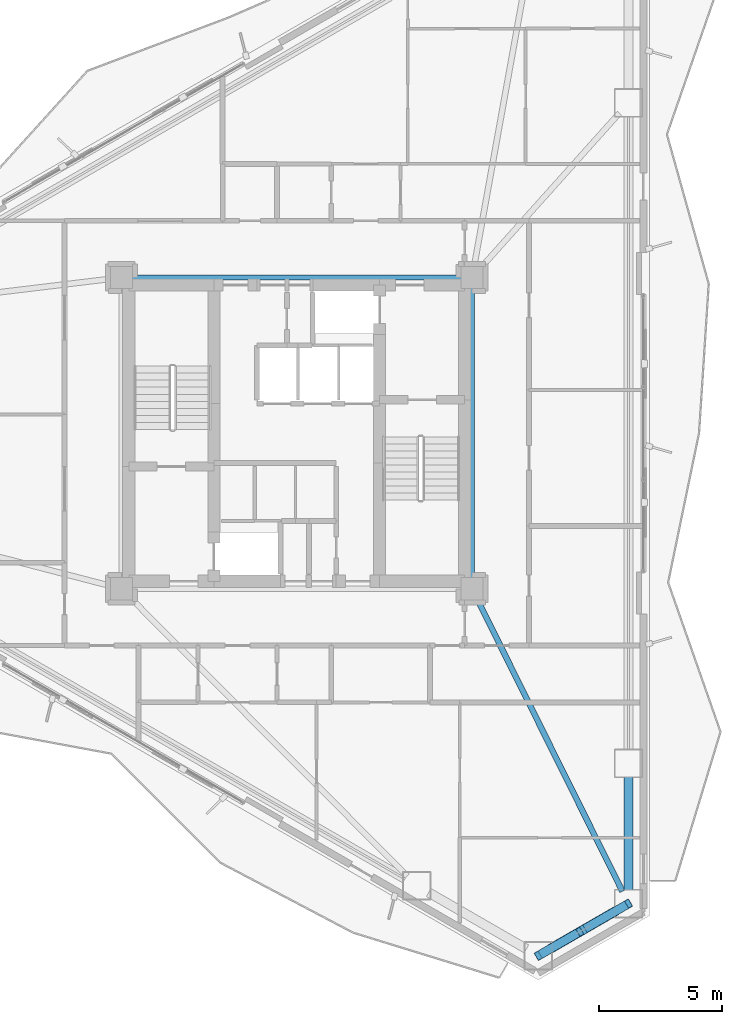
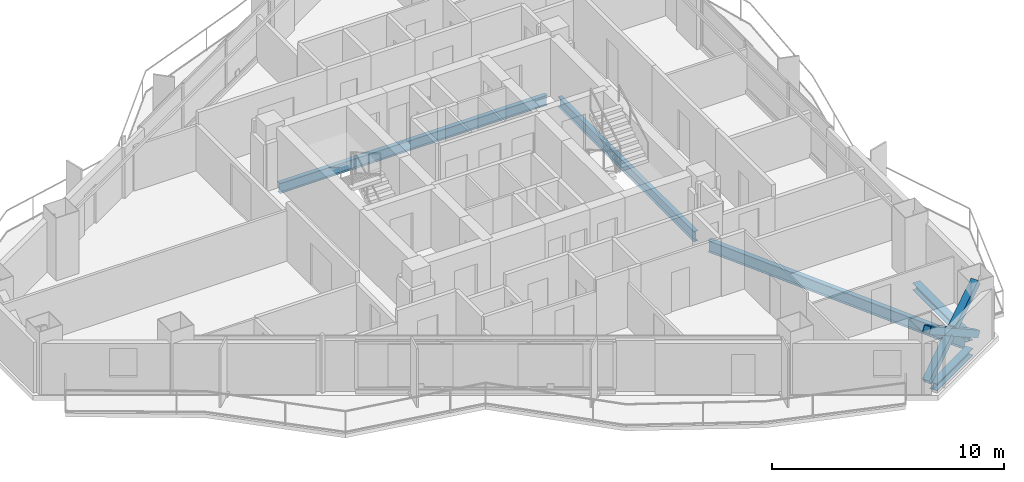
# One storey, part 7 of 22: 5 beams, 3 members.
"""IFC4 building model written with IfcOpenShell, lengths in metres."""

from ifc_helpers import new_model, si_unit, direction, frame, origin, origin_2d, place, context, subcontext, project, spatial, hollow_rectangle, i_section, extrude, material, material_profile, profile_set, type_object, element, save


model = new_model("IFC4")

# Units and contexts
model_context = context("Model", 3, precision=1e-05, world=origin(), true_north=direction((0.0, 1.0)))
body_context = subcontext(model_context, "Body", "Model", "MODEL_VIEW")
ifc_project = project(units=[si_unit("LENGTHUNIT", "METRE"), si_unit("AREAUNIT", "SQUARE_METRE"), si_unit("VOLUMEUNIT", "CUBIC_METRE"), si_unit("PLANEANGLEUNIT", "RADIAN"), si_unit("MASSUNIT", "GRAM", prefix="KILO")], contexts=[model_context])

# Site, building, storey
site_placement = place(None, origin())
site = spatial("IfcSite", under=ifc_project, at=site_placement, CompositionType="ELEMENT")
building_placement = place(site_placement, origin())
building = spatial("IfcBuilding", under=site, at=building_placement, Name="Mersakhor Tower and Convention Hall", CompositionType="ELEMENT")
storey_placement = place(building_placement, frame((0.0, 0.0, 90.0)))
storey = spatial("IfcBuildingStorey", under=building, at=storey_placement, Name="L24", CompositionType="ELEMENT", Elevation=90.0)

# Beams
ifc_material_1 = material(Name="Steel S355", Category="steel")
ifc_material_profile_1 = material_profile(ifc_material_1, i_section(OverallWidth=0.2099609375, OverallDepth=0.53662109375, WebThickness=0.0107421875, FlangeThickness=0.017333984375, at=origin_2d()), Name="UB 533x210x101")
ifc_profile_set_1 = profile_set([ifc_material_profile_1], Name="Steel S355")
beam_type_1 = type_object("IfcBeamType", Name="BM-FB-533", PredefinedType="BEAM", material=ifc_profile_set_1)
beam_1_placement = place(storey_placement, frame((22.330078125, 33.050048828125, -0.518310546875), z_axis=(1.0, 0.0, 0.0), x_axis=(0.0, 1.0, 0.0)))
element("IfcBeam", 1, at=beam_1_placement, inside=storey, type_object=beam_type_1, Name="L24 Core Ring Tie Beam CRB-2", PredefinedType="BEAM", context=body_context, shape_type="SweptSolid", body=[
    extrude(i_section(OverallWidth=0.2099609375, OverallDepth=0.53662109375, WebThickness=0.0107421875, FlangeThickness=0.017333984375, at=origin_2d()), origin(), (0.0, 0.0, 1.0), 13.33984375),
])
beam_2_placement = place(storey_placement, frame((36.10009765625, 32.6201171875, -0.518310546875), z_axis=(0.0, -1.0, 0.0), x_axis=(1.0, 0.0, 0.0)))
element("IfcBeam", 2, at=beam_2_placement, inside=storey, type_object=beam_type_1, Name="L24 Core Ring Tie Beam CRB-3", PredefinedType="BEAM", context=body_context, shape_type="SweptSolid", body=[
    extrude(i_section(OverallWidth=0.2099609375, OverallDepth=0.53662109375, WebThickness=0.0107421875, FlangeThickness=0.017333984375, at=origin_2d()), origin(), (0.0, 0.0, 1.0), 11.740234375),
])
ifc_material_2 = material(Name="Steel S355", Category="steel")
ifc_material_profile_2 = material_profile(ifc_material_2, i_section(OverallWidth=0.22900390625, OverallDepth=0.6123046875, WebThickness=0.011962890625, FlangeThickness=0.01953125, at=origin_2d()), Name="UB 610x229x125")
ifc_profile_set_2 = profile_set([ifc_material_profile_2], Name="Steel S355")
beam_type_2 = type_object("IfcBeamType", Name="BM-PR-610", PredefinedType="BEAM", material=ifc_profile_set_2)
beam_3_placement = place(storey_placement, frame((36.291259765625, 20.06494140625, -0.55615234375), z_axis=(0.444993792004, -0.895533653794, 0.0), x_axis=(0.895533653794, 0.444993792004, 0.0)))
element("IfcBeam", 3, at=beam_3_placement, inside=storey, type_object=beam_type_2, Name="L24 Primary Floor Girder FG-4", PredefinedType="BEAM", context=body_context, shape_type="SweptSolid", body=[
    extrude(i_section(OverallWidth=0.22900390625, OverallDepth=0.6123046875, WebThickness=0.011962890625, FlangeThickness=0.01953125, at=origin_2d()), origin(), (0.0, 0.0, 1.0), 13.250244140625),
])
ifc_material_3 = material(Name="Steel S355", Category="steel")
ifc_material_profile_3 = material_profile(ifc_material_3, i_section(OverallWidth=0.374755859375, OverallDepth=0.37451171875, WebThickness=0.0166015625, FlangeThickness=0.027099609375, at=origin_2d()), Name="UC 356x368x202")
ifc_profile_set_3 = profile_set([ifc_material_profile_3], Name="Steel S355")
beam_type_3 = type_object("IfcBeamType", Name="BM-SPD-UC356", PredefinedType="SPANDREL", material=ifc_profile_set_3)
beam_4_placement = place(storey_placement, frame((42.4345703125, 12.8232421875, -0.437255859375), z_axis=(0.0, -1.0, 0.0), x_axis=(1.0, 0.0, 0.0)))
element("IfcBeam", 4, at=beam_4_placement, inside=storey, type_object=beam_type_3, Name="L24 Perimeter Spandrel Beam SPB-07", PredefinedType="SPANDREL", context=body_context, shape_type="SweptSolid", body=[
    extrude(i_section(OverallWidth=0.374755859375, OverallDepth=0.37451171875, WebThickness=0.0166015625, FlangeThickness=0.027099609375, at=origin_2d()), origin(), (0.0, 0.0, 1.0), 4.566162109375),
])
beam_5_placement = place(storey_placement, frame((41.9541015625, 7.424560546875, -0.437255859375), z_axis=(-0.866052319632, -0.499953377486, 0.0), x_axis=(0.499953377486, -0.866052319632, 0.0)))
element("IfcBeam", 5, at=beam_5_placement, inside=storey, type_object=beam_type_3, Name="L24 Perimeter Spandrel Beam SPB-08", PredefinedType="SPANDREL", context=body_context, shape_type="SweptSolid", body=[
    extrude(i_section(OverallWidth=0.374755859375, OverallDepth=0.37451171875, WebThickness=0.0166015625, FlangeThickness=0.027099609375, at=origin_2d()), origin(), (0.0, 0.0, 1.0), 3.111572265625),
])

# Members
ifc_material_4 = material(Name="Steel S460", Category="steel")
ifc_material_profile_4 = material_profile(ifc_material_4, hollow_rectangle(XDim=0.35009765625, YDim=0.35009765625, WallThickness=0.02001953125, at=origin_2d()), Name="SHS 350x350x20")
ifc_profile_set_4 = profile_set([ifc_material_profile_4], Name="Steel S460")
member_type = type_object("IfcMemberType", Name="MB-BRC-SHS350", PredefinedType="BRACE", material=ifc_profile_set_4)
member_placement = place(storey_placement, frame((42.4345703125, 7.701904296875, 0.14990234375), z_axis=(-0.725633725484, -0.418933054415, 0.545848689986), x_axis=(0.49998946241, -0.866031487579, 0.0)))
element("IfcMember", 6, at=member_placement, inside=storey, type_object=member_type, Name="L24 Chamfer Braced Frame Diagonal CB-2A", PredefinedType="BRACE", context=body_context, shape_type="SweptSolid", body=[
    extrude(hollow_rectangle(XDim=0.35009765625, YDim=0.35009765625, WallThickness=0.02001953125, at=origin_2d()), origin(), (0.0, 0.0, 1.0), 5.0380859375),
])
for number, where, z_axis, x_axis, name in (
    (7, (38.77880859375, 5.59130859375, 0.14990234375), (0.725593346201, 0.41889491121, 0.545931634283), (-0.499976186015, 0.866039152359, 0.0), "L24 Chamfer Braced Frame Diagonal CB-2B Lower Half"),
    (8, (40.751220703125, 6.730224609375, 1.6337890625), (0.725684866011, 0.418886985747, 0.545816057307), (-0.499921796684, 0.866070549782, 0.0), "L24 Chamfer Braced Frame Diagonal CB-2B Upper Half"),
):
    element("IfcMember", number, at=place(storey_placement, frame(where, z_axis=z_axis, x_axis=x_axis)), inside=storey, type_object=member_type, Name=name, PredefinedType="BRACE", context=body_context, shape_type="SweptSolid", body=[
        extrude(hollow_rectangle(XDim=0.35009765625, YDim=0.35009765625, WallThickness=0.02001953125, at=origin_2d()), origin(), (0.0, 0.0, 1.0), 2.319580078125),
    ])

save(model, "model.ifc")
